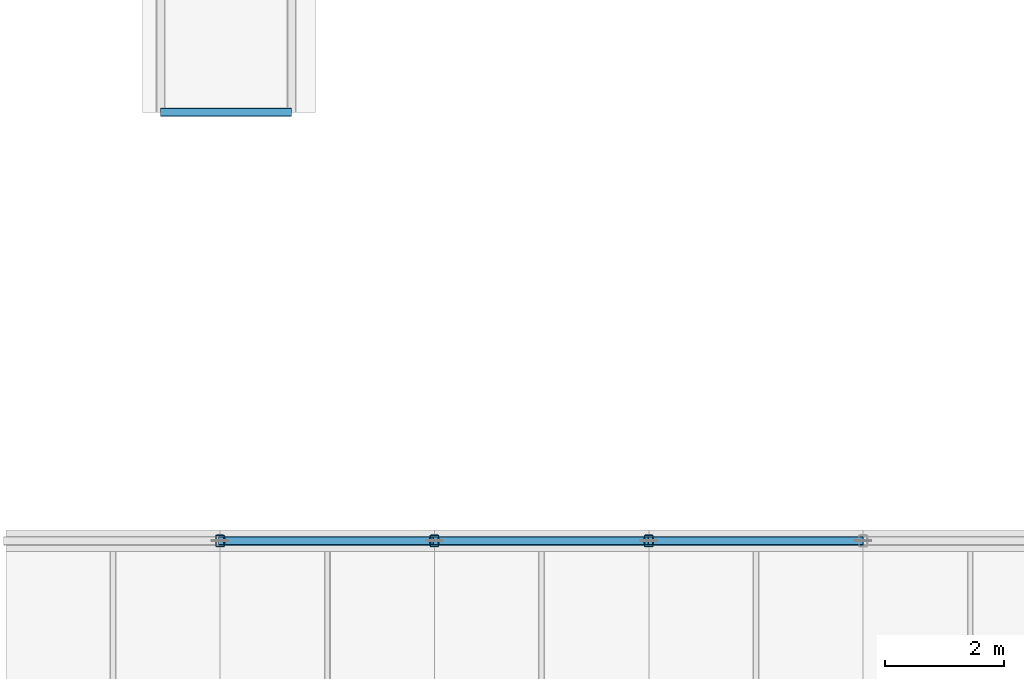
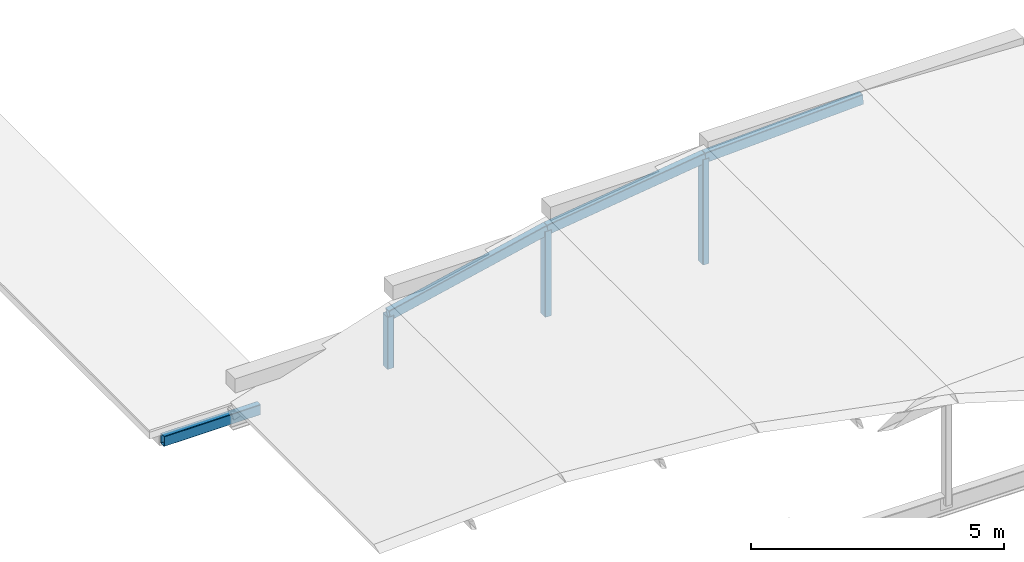
# One storey, part 13 of 70: 6 members, 1 beam.
"""IFC4 building model written with IfcOpenShell, lengths in metres."""

from ifc_helpers import new_model, si_unit, direction, frame, origin, origin_2d, place, context, subcontext, project, spatial, hollow_rectangle, extrude, material, material_profile, profile_set, type_object, element, save


model = new_model("IFC4")

# Units and contexts
model_context = context("Model", 3, precision=1e-05, world=origin(), true_north=direction((0.0, 1.0)))
body_context = subcontext(model_context, "Body", "Model", "MODEL_VIEW")
ifc_project = project(units=[si_unit("LENGTHUNIT", "METRE"), si_unit("AREAUNIT", "SQUARE_METRE"), si_unit("VOLUMEUNIT", "CUBIC_METRE"), si_unit("PLANEANGLEUNIT", "RADIAN"), si_unit("MASSUNIT", "GRAM", prefix="KILO")], contexts=[model_context])

# Site, building, storey
site_placement = place(None, origin())
site = spatial("IfcSite", under=ifc_project, at=site_placement, CompositionType="ELEMENT")
building_placement = place(site_placement, origin())
building = spatial("IfcBuilding", under=site, at=building_placement, Name="Mavantir Sound Aquarium", CompositionType="ELEMENT")
storey_placement = place(building_placement, frame((0.0, 0.0, 27.0)))
storey = spatial("IfcBuildingStorey", under=building, at=storey_placement, Name="RF", CompositionType="ELEMENT", Elevation=27.0)

# Beam
ifc_material = material(Name="Hollow Structural Steel ASTM A500 GrC", Category="steel")
ifc_material_profile_1 = material_profile(ifc_material, hollow_rectangle(XDim=0.14990234375, YDim=0.25, WallThickness=0.010009765625, InnerFilletRadius=0.010009765625, OuterFilletRadius=0.02001953125, at=origin_2d()), Name="RHS 250X150X10")
ifc_profile_set_1 = profile_set([ifc_material_profile_1], Name="Hollow Structural Steel ASTM A500 GrC")
beam_type = type_object("IfcBeamType", Name="BM-RHS250-E", PredefinedType="BEAM", material=ifc_profile_set_1)
beam_placement = place(storey_placement, frame((69.800048828125, 40.800048828125, -22.52490234375), z_axis=(1.0, 0.0, 0.0), x_axis=(0.0, 1.0, 0.0)))
element("IfcBeam", 1, at=beam_placement, inside=storey, type_object=beam_type, Name="Tidal court colonnade cross beam W1", PredefinedType="BEAM", context=body_context, shape_type="SweptSolid", body=[
    extrude(hollow_rectangle(XDim=0.14990234375, YDim=0.25, WallThickness=0.010009765625, InnerFilletRadius=0.010009765625, OuterFilletRadius=0.02001953125, at=origin_2d()), origin(), (0.0, 0.0, 1.0), 2.199951171875),
])

# Members
ifc_material_profile_2 = material_profile(ifc_material, hollow_rectangle(XDim=0.14990234375, YDim=0.25, WallThickness=0.010009765625, InnerFilletRadius=0.010009765625, OuterFilletRadius=0.02001953125, at=origin_2d()), Name="RHS 250X150X10")
ifc_profile_set_2 = profile_set([ifc_material_profile_2], Name="Hollow Structural Steel ASTM A500 GrC")
member_type_1 = type_object("IfcMemberType", Name="MEM-AR-RHS250", PredefinedType="CHORD", material=ifc_profile_set_2)
member_1_placement = place(storey_placement, frame((70.800048828125, 33.60009765625, -15.4716796875), z_axis=(0.975760104728, 0.0, 0.218842907178), x_axis=(0.0, 1.0, 0.0)))
element("IfcMember", 2, at=member_1_placement, inside=storey, type_object=member_type_1, Name="V7 entry vault arch rib 83", PredefinedType="CHORD", context=body_context, shape_type="SweptSolid", body=[
    extrude(hollow_rectangle(XDim=0.14990234375, YDim=0.25, WallThickness=0.010009765625, InnerFilletRadius=0.010009765625, OuterFilletRadius=0.02001953125, at=origin_2d()), origin(), (0.0, 0.0, 1.0), 3.689208984375),
])
member_2_placement = place(storey_placement, frame((74.39990234375, 33.60009765625, -14.664306640625), z_axis=(0.991351936589, 0.0, 0.131230094956), x_axis=(0.0, 1.0, 0.0)))
element("IfcMember", 3, at=member_2_placement, inside=storey, type_object=member_type_1, Name="V7 entry vault arch rib 85", PredefinedType="CHORD", context=body_context, shape_type="SweptSolid", body=[
    extrude(hollow_rectangle(XDim=0.14990234375, YDim=0.25, WallThickness=0.010009765625, InnerFilletRadius=0.010009765625, OuterFilletRadius=0.02001953125, at=origin_2d()), origin(), (0.0, 0.0, 1.0), 3.631591796875),
])
member_3_placement = place(storey_placement, frame((78.0, 33.60009765625, -14.187744140625), z_axis=(0.999041787102, 0.0, 0.043766512578), x_axis=(0.0, 1.0, 0.0)))
element("IfcMember", 4, at=member_3_placement, inside=storey, type_object=member_type_1, Name="V7 entry vault arch rib 87", PredefinedType="CHORD", context=body_context, shape_type="SweptSolid", body=[
    extrude(hollow_rectangle(XDim=0.14990234375, YDim=0.25, WallThickness=0.010009765625, InnerFilletRadius=0.010009765625, OuterFilletRadius=0.02001953125, at=origin_2d()), origin(), (0.0, 0.0, 1.0), 3.603515625),
])
ifc_material_profile_3 = material_profile(ifc_material, hollow_rectangle(XDim=0.14990234375, YDim=0.199951171875, WallThickness=0.010009765625, InnerFilletRadius=0.010009765625, OuterFilletRadius=0.02001953125, at=origin_2d()), Name="RHS 200X150X10")
ifc_profile_set_3 = profile_set([ifc_material_profile_3], Name="Hollow Structural Steel ASTM A500 GrC")
member_type_2 = type_object("IfcMemberType", Name="MEM-BR-RHS200", PredefinedType="BRACE", material=ifc_profile_set_3)
member_4_placement = place(storey_placement, frame((70.800048828125, 33.60009765625, -16.72998046875), z_axis=(0.0, 0.0, 1.0), x_axis=(1.0, 0.0, 0.0)))
element("IfcMember", 5, at=member_4_placement, inside=storey, type_object=member_type_2, Name="Steel truss web brace 84", PredefinedType="BRACE", context=body_context, shape_type="SweptSolid", body=[
    extrude(hollow_rectangle(XDim=0.14990234375, YDim=0.199951171875, WallThickness=0.010009765625, InnerFilletRadius=0.010009765625, OuterFilletRadius=0.02001953125, at=origin_2d()), origin(), (0.0, 0.0, 1.0), 1.25830078125),
])
member_5_placement = place(storey_placement, frame((74.39990234375, 33.60009765625, -16.72998046875), z_axis=(0.0, 0.0, 1.0), x_axis=(1.0, 0.0, 0.0)))
element("IfcMember", 6, at=member_5_placement, inside=storey, type_object=member_type_2, Name="Steel truss web brace 86", PredefinedType="BRACE", context=body_context, shape_type="SweptSolid", body=[
    extrude(hollow_rectangle(XDim=0.14990234375, YDim=0.199951171875, WallThickness=0.010009765625, InnerFilletRadius=0.010009765625, OuterFilletRadius=0.02001953125, at=origin_2d()), origin(), (0.0, 0.0, 1.0), 2.065673828125),
])
member_6_placement = place(storey_placement, frame((78.0, 33.60009765625, -16.72998046875), z_axis=(0.0, 0.0, 1.0), x_axis=(1.0, 0.0, 0.0)))
element("IfcMember", 7, at=member_6_placement, inside=storey, type_object=member_type_2, Name="Steel truss web brace 88", PredefinedType="BRACE", context=body_context, shape_type="SweptSolid", body=[
    extrude(hollow_rectangle(XDim=0.14990234375, YDim=0.199951171875, WallThickness=0.010009765625, InnerFilletRadius=0.010009765625, OuterFilletRadius=0.02001953125, at=origin_2d()), origin(), (0.0, 0.0, 1.0), 2.542236328125),
])

save(model, "model.ifc")
